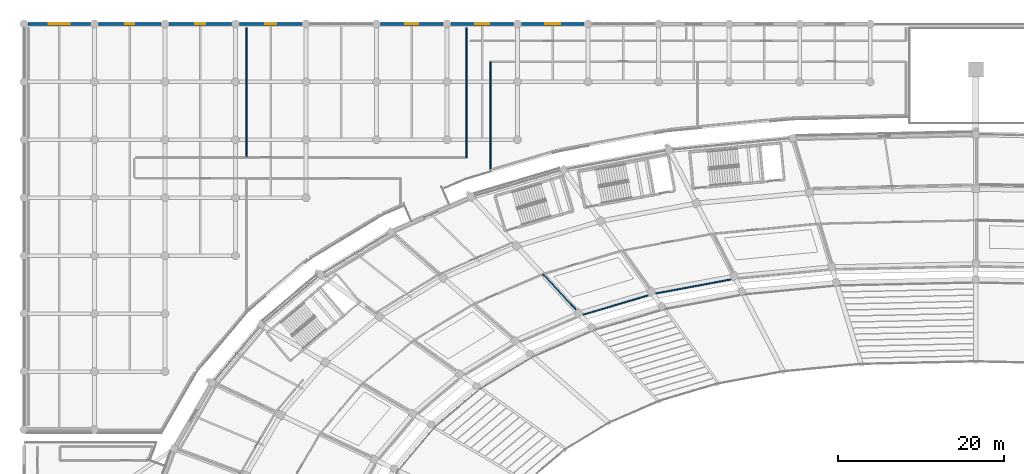
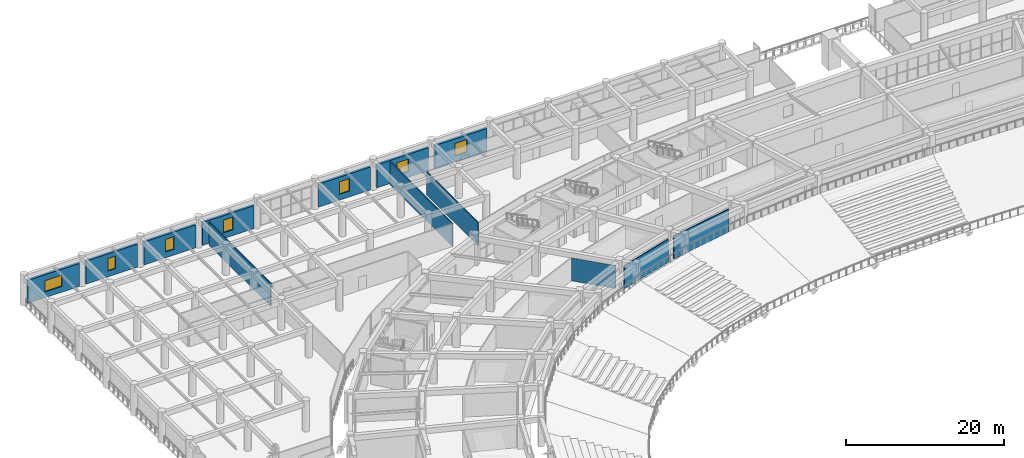
# One storey, part 111 of 152: 13 walls, 7 windows, 7 openings.
"""IFC4 building model written with IfcOpenShell, lengths in metres."""

from ifc_helpers import new_model, si_unit, direction, frame, frame_2d, origin, place, context, subcontext, project, spatial, rectangle, extrude, material, layer, layer_set, type_object, element, fill, save


model = new_model("IFC4")

# Units and contexts
model_context = context("Model", 3, precision=1e-05, world=origin(), true_north=direction((0.0, 1.0)))
body_context = subcontext(model_context, "Body", "Model", "MODEL_VIEW")
ifc_project = project(units=[si_unit("LENGTHUNIT", "METRE"), si_unit("AREAUNIT", "SQUARE_METRE"), si_unit("VOLUMEUNIT", "CUBIC_METRE"), si_unit("PLANEANGLEUNIT", "RADIAN"), si_unit("MASSUNIT", "GRAM", prefix="KILO")], contexts=[model_context])

# Site, building, storey
site_placement = place(None, origin())
site = spatial("IfcSite", under=ifc_project, at=site_placement, CompositionType="ELEMENT")
building_placement = place(site_placement, origin())
building = spatial("IfcBuilding", under=site, at=building_placement, Name="Mphavela Belvedere Stadium", CompositionType="ELEMENT")
storey_placement = place(building_placement, frame((0.0, 0.0, 5.39990234375)))
storey = spatial("IfcBuildingStorey", under=building, at=storey_placement, Name="L01", CompositionType="ELEMENT", Elevation=5.39990234375)

# Wall, opening, window
ifc_material_1 = material(Name="Honed ashlar limestone masonry", Category="masonry")
ifc_layer_1 = layer(ifc_material_1, 0.35009765625)
ifc_layer_set_1 = layer_set([ifc_layer_1], Name="Honed ashlar limestone masonry")
wall_type_1 = type_object("IfcWallType", Name="WAL-EXT-ASHLAR-350", PredefinedType="STANDARD", material=ifc_layer_set_1)
wall_1_placement = place(storey_placement, frame((0.472900390625, 174.0, 0.0), z_axis=(0.0, 0.0, 1.0), x_axis=(1.0, 0.0, 0.0)))
wall_1 = element("IfcWall", 1, at=wall_1_placement, inside=storey, type_object=wall_type_1, Name="North Mast and Ceremonial End Forecourt outer facade bay L01-01", PredefinedType="STANDARD", context=body_context, shape_type="SweptSolid", body=[
    extrude(rectangle(XDim=7.572998046875, YDim=0.35009765625, at=frame_2d((3.78662109375, 0.0))), origin(), (0.0, 0.0, 1.0), 3.56005859375),
])
opening_1_placement = place(wall_1_placement, frame((2.526611328125, 0.0, 0.89990234375)))
opening_1 = element("IfcOpeningElement", 2, at=opening_1_placement, cuts=wall_1, Name="Opening W-154", PredefinedType="OPENING", context=body_context, shape_type="SweptSolid", body=[
    extrude(rectangle(XDim=2.52001953125, YDim=1.75, at=frame_2d((1.260009765625, 0.875))), frame((0.0, 0.18505859375, 0.0), z_axis=(0.0, -1.0, 0.0), x_axis=(1.0, 0.0, 0.0)), (0.0, 0.0, 1.0), 0.3701171875),
])
ifc_material_2 = material(Name="Bronze-anodised thermally broken aluminium window", Category="aluminium")
window_type_1 = type_object("IfcWindowType", Name="WIN-EXT-22", PartitioningType="SINGLE_PANEL", PredefinedType="WINDOW", material=ifc_material_2)
window_1_placement = place(opening_1_placement, origin())
window_1 = element("IfcWindow", 3, at=window_1_placement, inside=storey, type_object=window_type_1, Name="North Mast and Ceremonial End Forecourt classical window W-154", OverallHeight=1.75, OverallWidth=2.52001953125, PartitioningType="SINGLE_PANEL", PredefinedType="WINDOW", context=body_context, shape_type="SweptSolid", body=[
    extrude(rectangle(XDim=2.52001953125, YDim=1.75, at=frame_2d((1.260009765625, 0.875))), frame((0.0, 0.030029296875, 0.0), z_axis=(0.0, -1.0, 0.0), x_axis=(1.0, 0.0, 0.0)), (0.0, 0.0, 1.0), 0.06005859375),
])
fill(opening_1, window_1)

wall_2_placement = place(storey_placement, frame((8.991943359375, 174.0, 0.0), z_axis=(0.0, 0.0, 1.0), x_axis=(1.0, 0.0, 0.0)))
wall_2 = element("IfcWall", 4, at=wall_2_placement, inside=storey, type_object=wall_type_1, Name="North Mast and Ceremonial End Forecourt outer facade bay L01-02", PredefinedType="STANDARD", context=body_context, shape_type="SweptSolid", body=[
    extrude(rectangle(XDim=7.572021484375, YDim=0.35009765625, at=frame_2d((3.7861328125, 0.0))), origin(), (0.0, 0.0, 1.0), 3.56005859375),
])
opening_2_placement = place(wall_2_placement, frame((3.236083984375, 0.0, 0.89990234375)))
opening_2 = element("IfcOpeningElement", 5, at=opening_2_placement, cuts=wall_2, Name="Opening W-155", PredefinedType="OPENING", context=body_context, shape_type="SweptSolid", body=[
    extrude(rectangle(XDim=1.10009765625, YDim=1.949951171875, at=frame_2d((0.550048828125, 0.97509765625))), frame((0.0, 0.18505859375, 0.0), z_axis=(0.0, -1.0, 0.0), x_axis=(1.0, 0.0, 0.0)), (0.0, 0.0, 1.0), 0.3701171875),
])
ifc_material_3 = material(Name="Bronze-anodised thermally broken aluminium window", Category="aluminium")
window_type_2 = type_object("IfcWindowType", Name="WIN-EXT-23", PartitioningType="SINGLE_PANEL", PredefinedType="WINDOW", material=ifc_material_3)
window_2_placement = place(opening_2_placement, origin())
window_2 = element("IfcWindow", 6, at=window_2_placement, inside=storey, type_object=window_type_2, Name="North Mast and Ceremonial End Forecourt classical window W-155", OverallHeight=1.949951171875, OverallWidth=1.10009765625, PartitioningType="SINGLE_PANEL", PredefinedType="WINDOW", context=body_context, shape_type="SweptSolid", body=[
    extrude(rectangle(XDim=1.10009765625, YDim=1.949951171875, at=frame_2d((0.550048828125, 0.97509765625))), frame((0.0, 0.030029296875, 0.0), z_axis=(0.0, -1.0, 0.0), x_axis=(1.0, 0.0, 0.0)), (0.0, 0.0, 1.0), 0.06005859375),
])
fill(opening_2, window_2)

wall_3_placement = place(storey_placement, frame((17.510009765625, 174.0, 0.0), z_axis=(0.0, 0.0, 1.0), x_axis=(1.0, 0.0, 0.0)))
wall_3 = element("IfcWall", 7, at=wall_3_placement, inside=storey, type_object=wall_type_1, Name="North Mast and Ceremonial End Forecourt outer facade bay L01-03", PredefinedType="STANDARD", context=body_context, shape_type="SweptSolid", body=[
    extrude(rectangle(XDim=7.572998046875, YDim=0.35009765625, at=frame_2d((3.78662109375, 0.0))), origin(), (0.0, 0.0, 1.0), 3.56005859375),
])
opening_3_placement = place(wall_3_placement, frame((3.16650390625, 0.0, 0.89990234375)))
opening_3 = element("IfcOpeningElement", 8, at=opening_3_placement, cuts=wall_3, Name="Opening W-156", PredefinedType="OPENING", context=body_context, shape_type="SweptSolid", body=[
    extrude(rectangle(XDim=1.239990234375, YDim=1.949951171875, at=frame_2d((0.6201171875, 0.97509765625))), frame((0.0, 0.18505859375, 0.0), z_axis=(0.0, -1.0, 0.0), x_axis=(1.0, 0.0, 0.0)), (0.0, 0.0, 1.0), 0.3701171875),
])
ifc_material_4 = material(Name="Bronze-anodised thermally broken aluminium window", Category="aluminium")
window_type_3 = type_object("IfcWindowType", Name="WIN-EXT-24", PartitioningType="SINGLE_PANEL", PredefinedType="WINDOW", material=ifc_material_4)
window_3_placement = place(opening_3_placement, origin())
window_3 = element("IfcWindow", 9, at=window_3_placement, inside=storey, type_object=window_type_3, Name="North Mast and Ceremonial End Forecourt classical window W-156", OverallHeight=1.949951171875, OverallWidth=1.239990234375, PartitioningType="SINGLE_PANEL", PredefinedType="WINDOW", context=body_context, shape_type="SweptSolid", body=[
    extrude(rectangle(XDim=1.239990234375, YDim=1.949951171875, at=frame_2d((0.6201171875, 0.97509765625))), frame((0.0, 0.030029296875, 0.0), z_axis=(0.0, -1.0, 0.0), x_axis=(1.0, 0.0, 0.0)), (0.0, 0.0, 1.0), 0.06005859375),
])
fill(opening_3, window_3)

wall_4_placement = place(storey_placement, frame((26.029052734375, 174.0, 0.0), z_axis=(0.0, 0.0, 1.0), x_axis=(1.0, 0.0, 0.0)))
wall_4 = element("IfcWall", 10, at=wall_4_placement, inside=storey, type_object=wall_type_1, Name="North Mast and Ceremonial End Forecourt outer facade bay L01-04", PredefinedType="STANDARD", context=body_context, shape_type="SweptSolid", body=[
    extrude(rectangle(XDim=7.572021484375, YDim=0.35009765625, at=frame_2d((3.7861328125, 0.0))), origin(), (0.0, 0.0, 1.0), 3.56005859375),
])
opening_4_placement = place(wall_4_placement, frame((3.095947265625, 0.0, 0.89990234375)))
opening_4 = element("IfcOpeningElement", 11, at=opening_4_placement, cuts=wall_4, Name="Opening W-157", PredefinedType="OPENING", context=body_context, shape_type="SweptSolid", body=[
    extrude(rectangle(XDim=1.3798828125, YDim=1.949951171875, at=frame_2d((0.68994140625, 0.97509765625))), frame((0.0, 0.18505859375, 0.0), z_axis=(0.0, -1.0, 0.0), x_axis=(1.0, 0.0, 0.0)), (0.0, 0.0, 1.0), 0.3701171875),
])
ifc_material_5 = material(Name="Bronze-anodised thermally broken aluminium window", Category="aluminium")
window_type_4 = type_object("IfcWindowType", Name="WIN-EXT-25", PartitioningType="SINGLE_PANEL", PredefinedType="WINDOW", material=ifc_material_5)
window_4_placement = place(opening_4_placement, origin())
window_4 = element("IfcWindow", 12, at=window_4_placement, inside=storey, type_object=window_type_4, Name="North Mast and Ceremonial End Forecourt classical window W-157", OverallHeight=1.949951171875, OverallWidth=1.3798828125, PartitioningType="SINGLE_PANEL", PredefinedType="WINDOW", context=body_context, shape_type="SweptSolid", body=[
    extrude(rectangle(XDim=1.3798828125, YDim=1.949951171875, at=frame_2d((0.68994140625, 0.97509765625))), frame((0.0, 0.030029296875, 0.0), z_axis=(0.0, -1.0, 0.0), x_axis=(1.0, 0.0, 0.0)), (0.0, 0.0, 1.0), 0.06005859375),
])
fill(opening_4, window_4)

wall_5_placement = place(storey_placement, frame((43.06591796875, 174.0, 0.0), z_axis=(0.0, 0.0, 1.0), x_axis=(1.0, 0.0, 0.0)))
wall_5 = element("IfcWall", 13, at=wall_5_placement, inside=storey, type_object=wall_type_1, Name="North Mast and Ceremonial End Forecourt outer facade bay L01-06", PredefinedType="STANDARD", context=body_context, shape_type="SweptSolid", body=[
    extrude(rectangle(XDim=7.572021484375, YDim=0.35009765625, at=frame_2d((3.7861328125, 0.0))), origin(), (0.0, 0.0, 1.0), 3.56005859375),
])
opening_5_placement = place(wall_5_placement, frame((3.02587890625, 0.0, 0.89990234375)))
opening_5 = element("IfcOpeningElement", 14, at=opening_5_placement, cuts=wall_5, Name="Opening W-158", PredefinedType="OPENING", context=body_context, shape_type="SweptSolid", body=[
    extrude(rectangle(XDim=1.52001953125, YDim=1.949951171875, at=frame_2d((0.760009765625, 0.97509765625))), frame((0.0, 0.18505859375, 0.0), z_axis=(0.0, -1.0, 0.0), x_axis=(1.0, 0.0, 0.0)), (0.0, 0.0, 1.0), 0.3701171875),
])
ifc_material_6 = material(Name="Bronze-anodised thermally broken aluminium window", Category="aluminium")
window_type_5 = type_object("IfcWindowType", Name="WIN-EXT-26", PartitioningType="SINGLE_PANEL", PredefinedType="WINDOW", material=ifc_material_6)
window_5_placement = place(opening_5_placement, origin())
window_5 = element("IfcWindow", 15, at=window_5_placement, inside=storey, type_object=window_type_5, Name="North Mast and Ceremonial End Forecourt classical window W-158", OverallHeight=1.949951171875, OverallWidth=1.52001953125, PartitioningType="SINGLE_PANEL", PredefinedType="WINDOW", context=body_context, shape_type="SweptSolid", body=[
    extrude(rectangle(XDim=1.52001953125, YDim=1.949951171875, at=frame_2d((0.760009765625, 0.97509765625))), frame((0.0, 0.030029296875, 0.0), z_axis=(0.0, -1.0, 0.0), x_axis=(1.0, 0.0, 0.0)), (0.0, 0.0, 1.0), 0.06005859375),
])
fill(opening_5, window_5)

wall_6_placement = place(storey_placement, frame((51.583984375, 174.0, 0.0), z_axis=(0.0, 0.0, 1.0), x_axis=(1.0, 0.0, 0.0)))
wall_6 = element("IfcWall", 16, at=wall_6_placement, inside=storey, type_object=wall_type_1, Name="North Mast and Ceremonial End Forecourt outer facade bay L01-07", PredefinedType="STANDARD", context=body_context, shape_type="SweptSolid", body=[
    extrude(rectangle(XDim=7.572998046875, YDim=0.35009765625, at=frame_2d((3.78662109375, 0.0))), origin(), (0.0, 0.0, 1.0), 3.56005859375),
])
opening_6_placement = place(wall_6_placement, frame((2.95654296875, 0.0, 0.89990234375)))
opening_6 = element("IfcOpeningElement", 17, at=opening_6_placement, cuts=wall_6, Name="Opening W-159", PredefinedType="OPENING", context=body_context, shape_type="SweptSolid", body=[
    extrude(rectangle(XDim=1.659912109375, YDim=1.949951171875, at=frame_2d((0.830078125, 0.97509765625))), frame((0.0, 0.18505859375, 0.0), z_axis=(0.0, -1.0, 0.0), x_axis=(1.0, 0.0, 0.0)), (0.0, 0.0, 1.0), 0.3701171875),
])
ifc_material_7 = material(Name="Bronze-anodised thermally broken aluminium window", Category="aluminium")
window_type_6 = type_object("IfcWindowType", Name="WIN-EXT-27", PartitioningType="SINGLE_PANEL", PredefinedType="WINDOW", material=ifc_material_7)
window_6_placement = place(opening_6_placement, origin())
window_6 = element("IfcWindow", 18, at=window_6_placement, inside=storey, type_object=window_type_6, Name="North Mast and Ceremonial End Forecourt classical window W-159", OverallHeight=1.949951171875, OverallWidth=1.659912109375, PartitioningType="SINGLE_PANEL", PredefinedType="WINDOW", context=body_context, shape_type="SweptSolid", body=[
    extrude(rectangle(XDim=1.659912109375, YDim=1.949951171875, at=frame_2d((0.830078125, 0.97509765625))), frame((0.0, 0.030029296875, 0.0), z_axis=(0.0, -1.0, 0.0), x_axis=(1.0, 0.0, 0.0)), (0.0, 0.0, 1.0), 0.06005859375),
])
fill(opening_6, window_6)

wall_7_placement = place(storey_placement, frame((60.10302734375, 174.0, 0.0), z_axis=(0.0, 0.0, 1.0), x_axis=(1.0, 0.0, 0.0)))
wall_7 = element("IfcWall", 19, at=wall_7_placement, inside=storey, type_object=wall_type_1, Name="North Mast and Ceremonial End Forecourt outer facade bay L01-08", PredefinedType="STANDARD", context=body_context, shape_type="SweptSolid", body=[
    extrude(rectangle(XDim=7.572021484375, YDim=0.35009765625, at=frame_2d((3.7861328125, 0.0))), origin(), (0.0, 0.0, 1.0), 3.56005859375),
])
opening_7_placement = place(wall_7_placement, frame((2.885986328125, 0.0, 0.89990234375)))
opening_7 = element("IfcOpeningElement", 20, at=opening_7_placement, cuts=wall_7, Name="Opening W-160", PredefinedType="OPENING", context=body_context, shape_type="SweptSolid", body=[
    extrude(rectangle(XDim=1.800048828125, YDim=1.949951171875, at=frame_2d((0.89990234375, 0.97509765625))), frame((0.0, 0.18505859375, 0.0), z_axis=(0.0, -1.0, 0.0), x_axis=(1.0, 0.0, 0.0)), (0.0, 0.0, 1.0), 0.3701171875),
])
ifc_material_8 = material(Name="Bronze-anodised thermally broken aluminium window", Category="aluminium")
window_type_7 = type_object("IfcWindowType", Name="WIN-EXT-28", PartitioningType="SINGLE_PANEL", PredefinedType="WINDOW", material=ifc_material_8)
window_7_placement = place(opening_7_placement, origin())
window_7 = element("IfcWindow", 21, at=window_7_placement, inside=storey, type_object=window_type_7, Name="North Mast and Ceremonial End Forecourt classical window W-160", OverallHeight=1.949951171875, OverallWidth=1.800048828125, PartitioningType="SINGLE_PANEL", PredefinedType="WINDOW", context=body_context, shape_type="SweptSolid", body=[
    extrude(rectangle(XDim=1.800048828125, YDim=1.949951171875, at=frame_2d((0.89990234375, 0.97509765625))), frame((0.0, 0.030029296875, 0.0), z_axis=(0.0, -1.0, 0.0), x_axis=(1.0, 0.0, 0.0)), (0.0, 0.0, 1.0), 0.06005859375),
])
fill(opening_7, window_7)

# Walls
ifc_material_9 = material(Name="Acoustic gypsum stud partition assembly")
ifc_layer_2 = layer(ifc_material_9, 0.14990234375)
ifc_layer_set_2 = layer_set([ifc_layer_2], Name="Acoustic gypsum stud partition assembly")
wall_type_2 = type_object("IfcWallType", Name="WAL-PART-150", PredefinedType="PARTITIONING", material=ifc_layer_set_2)
wall_8_placement = place(storey_placement, frame((85.3642578125, 143.123046875, 0.0), z_axis=(0.0, 0.0, 1.0), x_axis=(-0.983094403703, -0.18309940854, 0.0)))
element("IfcWall", 22, at=wall_8_placement, inside=storey, type_object=wall_type_2, Name="Room divider partition L01-0184", PredefinedType="PARTITIONING", context=body_context, shape_type="SweptSolid", body=[
    extrude(rectangle(XDim=9.198974609375, YDim=0.14990234375, at=frame_2d((4.599609375, 0.0))), origin(), (0.0, 0.0, 1.0), 3.550048828125),
])
wall_9_placement = place(storey_placement, frame((75.387451171875, 141.197509765625, 0.0), z_axis=(0.0, 0.0, 1.0), x_axis=(-0.95866142128, -0.284549256457, 0.0)))
element("IfcWall", 23, at=wall_9_placement, inside=storey, type_object=wall_type_2, Name="Room divider partition L01-0186", PredefinedType="PARTITIONING", context=body_context, shape_type="SweptSolid", body=[
    extrude(rectangle(XDim=8.15087890625, YDim=0.14990234375, at=frame_2d((4.075439453125, 0.0))), origin(), (0.0, 0.0, 1.0), 3.550048828125),
])
wall_10_placement = place(storey_placement, frame((66.687744140625, 139.45703125, 0.0), z_axis=(0.0, 0.0, 1.0), x_axis=(-0.677840331391, 0.735209143809, 0.0)))
element("IfcWall", 24, at=wall_10_placement, inside=storey, type_object=wall_type_2, Name="Room divider partition L01-0187", PredefinedType="PARTITIONING", context=body_context, shape_type="SweptSolid", body=[
    extrude(rectangle(XDim=5.88134765625, YDim=0.14990234375, at=frame_2d((2.940673828125, 0.0))), origin(), (0.0, 0.0, 1.0), 3.550048828125),
])
for number, where, z_axis, x_axis, name in (
    (25, (26.89990234375, 173.550048828125, 0.0), (0.0, 0.0, 1.0), (0.0, -1.0, 0.0), "Room divider partition L01-0946"),
    (26, (53.449951171875, 173.550048828125, 0.0), (0.0, 0.0, 1.0), (0.0, -1.0, 0.0), "Room divider partition L01-0954"),
):
    element("IfcWall", number, at=place(storey_placement, frame(where, z_axis=z_axis, x_axis=x_axis)), inside=storey, type_object=wall_type_2, Name=name, PredefinedType="PARTITIONING", context=body_context, shape_type="SweptSolid", body=[
        extrude(rectangle(XDim=15.68994140625, YDim=0.14990234375, at=frame_2d((7.844970703125, 0.0))), origin(), (0.0, 0.0, 1.0), 3.550048828125),
    ])
wall_11_placement = place(storey_placement, frame((56.360107421875, 156.381103515625, 0.0), z_axis=(0.0, 0.0, 1.0), x_axis=(0.0, 1.0, 0.0)))
element("IfcWall", 27, at=wall_11_placement, inside=storey, type_object=wall_type_2, Name="Room divider partition L01-0974", PredefinedType="PARTITIONING", context=body_context, shape_type="SweptSolid", body=[
    extrude(rectangle(XDim=13.058837890625, YDim=0.14990234375, at=frame_2d((6.529296875, 0.0))), origin(), (0.0, 0.0, 1.0), 3.550048828125),
])

save(model, "model.ifc")
